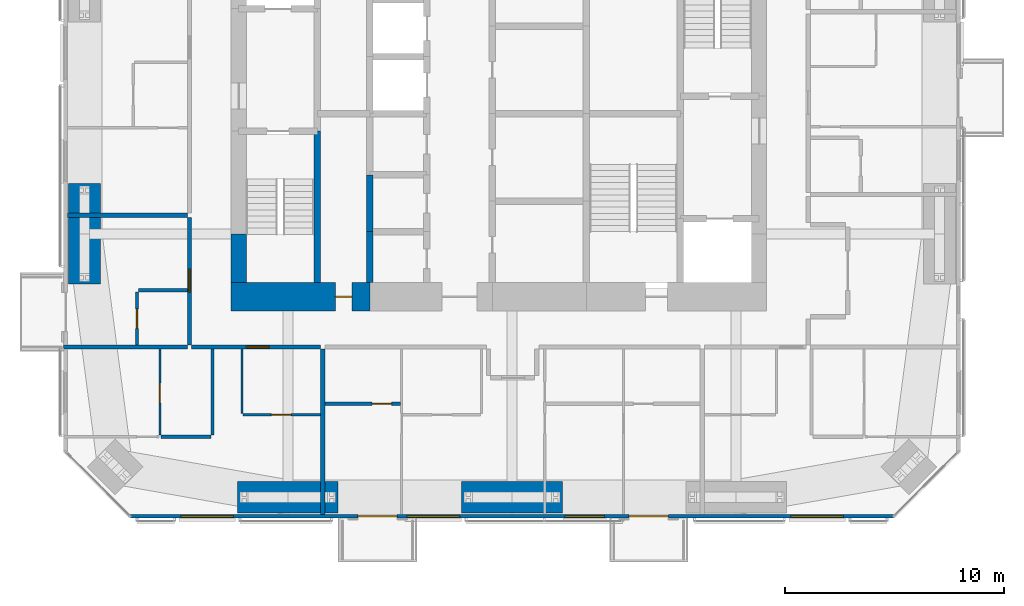
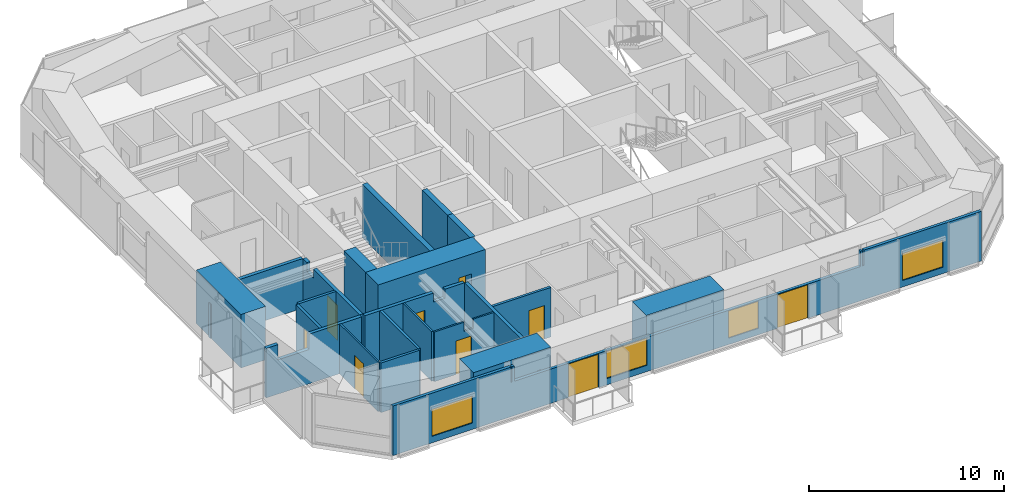
# One storey, part 15 of 22: 22 walls, 9 doors, 4 windows, 13 openings.
"""IFC4 building model written with IfcOpenShell, lengths in metres."""

from ifc_helpers import new_model, si_unit, direction, frame, frame_2d, origin, place, context, subcontext, project, spatial, polyline, rectangle, outline, extrude, material, layer, layer_set, constituent, constituent_set, type_object, element, fill, save


model = new_model("IFC4")

# Units and contexts
model_context = context("Model", 3, precision=1e-05, world=origin(), true_north=direction((0.0, 1.0)))
body_context = subcontext(model_context, "Body", "Model", "MODEL_VIEW")
ifc_project = project(units=[si_unit("LENGTHUNIT", "METRE"), si_unit("AREAUNIT", "SQUARE_METRE"), si_unit("VOLUMEUNIT", "CUBIC_METRE"), si_unit("PLANEANGLEUNIT", "RADIAN"), si_unit("MASSUNIT", "GRAM", prefix="KILO")], contexts=[model_context])

# Site, building, storey
site_placement = place(None, origin())
site = spatial("IfcSite", under=ifc_project, at=site_placement, CompositionType="ELEMENT")
building_placement = place(site_placement, origin())
building = spatial("IfcBuilding", under=site, at=building_placement, Name="Jalousie Tower", CompositionType="ELEMENT")
storey_placement = place(building_placement, frame((0.0, 0.0, 174.449951171875)))
storey = spatial("IfcBuildingStorey", under=building, at=storey_placement, Name="L47", CompositionType="ELEMENT", Elevation=174.449951171875)

# Walls
ifc_material_1 = material(Name="Concrete block ASTM C90", Category="concrete")
ifc_constituent_1 = constituent(ifc_material_1, Name="Body")
ifc_material_2 = material(Name="Render")
ifc_constituent_2 = constituent(ifc_material_2, Name="Finish")
ifc_constituent_set_1 = constituent_set(constituents=[ifc_constituent_1, ifc_constituent_2])
wall_type_1 = type_object("IfcWallType", Name="BATHROOM WALL 150", PredefinedType="PLUMBINGWALL", material=ifc_constituent_set_1)
wall_1_placement = place(storey_placement, frame((18.72509765625, 3.72119140625, 0.0), z_axis=(0.0, 0.0, 1.0), x_axis=(-1.0, 0.0, 0.0)))
element("IfcWall", 1, at=wall_1_placement, inside=storey, type_object=wall_type_1, Name="Bathroom Wall 150 L47", PredefinedType="PLUMBINGWALL", context=body_context, shape_type="SweptSolid", body=[
    extrude(rectangle(XDim=2.275146484375, YDim=0.14990234375, at=frame_2d((1.1376953125, 0.0))), origin(), (0.0, 0.0, 1.0), 3.110107421875),
])
wall_2_placement = place(storey_placement, frame((18.800048828125, 3.79638671875, 0.0), z_axis=(0.0, 0.0, 1.0), x_axis=(0.0, 1.0, 0.0)))
element("IfcWall", 2, at=wall_2_placement, inside=storey, type_object=wall_type_1, Name="Bathroom Wall 150 L47", PredefinedType="PLUMBINGWALL", context=body_context, shape_type="SweptSolid", body=[
    extrude(rectangle(XDim=3.9287109375, YDim=0.14990234375, at=frame_2d((1.96435546875, 0.0))), origin(), (0.0, 0.0, 1.0), 3.110107421875),
])

# Wall, opening, door
wall_3_placement = place(storey_placement, frame((23.949951171875, 5.22509765625, 0.0), z_axis=(0.0, 0.0, 1.0), x_axis=(1.0, 0.0, 0.0)))
wall_3 = element("IfcWall", 3, at=wall_3_placement, inside=storey, type_object=wall_type_1, Name="Bathroom Wall 150 L47", PredefinedType="PLUMBINGWALL", context=body_context, shape_type="SweptSolid", body=[
    extrude(rectangle(XDim=3.449951171875, YDim=0.14990234375, at=frame_2d((1.72509765625, 0.0))), origin(), (0.0, 0.0, 1.0), 3.110107421875),
])
opening_1_placement = place(wall_3_placement, frame((2.14990234375, 0.0, 0.0)))
opening_1 = element("IfcOpeningElement", 4, at=opening_1_placement, cuts=wall_3, Name="Opening D3", PredefinedType="OPENING", context=body_context, shape_type="SweptSolid", body=[
    extrude(rectangle(XDim=0.89990234375, YDim=2.10009765625, at=frame_2d((0.449951171875, 1.050048828125))), frame((0.0, 0.0849609375, 0.0), z_axis=(0.0, -1.0, 0.0), x_axis=(1.0, 0.0, 0.0)), (0.0, 0.0, 1.0), 0.169921875),
])
ifc_material_3 = material(Name="Timber door", Category="wood")
door_type_1 = type_object("IfcDoorType", Name="BATHROOM DOOR 900", OperationType="SINGLE_SWING_LEFT", PredefinedType="DOOR", material=ifc_material_3)
door_1_placement = place(opening_1_placement, origin())
door_1 = element("IfcDoor", 5, at=door_1_placement, inside=storey, type_object=door_type_1, Name="Apartment 4702 bedroom 1 bathroom door", OperationType="SINGLE_SWING_RIGHT", OverallHeight=2.10009765625, OverallWidth=0.89990234375, PredefinedType="DOOR", context=body_context, shape_type="SweptSolid", body=[
    extrude(rectangle(XDim=0.89990234375, YDim=2.10009765625, at=frame_2d((0.449951171875, 1.050048828125))), frame((0.0, 0.02490234375, 0.0), z_axis=(0.0, -1.0, 0.0), x_axis=(1.0, 0.0, 0.0)), (0.0, 0.0, 1.0), 0.050048828125),
])
fill(opening_1, door_1)

wall_4_placement = place(storey_placement, frame((15.35009765625, 7.925048828125, 0.0), z_axis=(0.0, 0.0, 1.0), x_axis=(0.0, 1.0, 0.0)))
wall_4 = element("IfcWall", 6, at=wall_4_placement, inside=storey, type_object=wall_type_1, Name="Bathroom Wall 150 L47", PredefinedType="PLUMBINGWALL", context=body_context, shape_type="SweptSolid", body=[
    extrude(rectangle(XDim=2.425048828125, YDim=0.14990234375, at=frame_2d((1.21240234375, 0.0))), origin(), (0.0, 0.0, 1.0), 3.110107421875),
])
opening_2_placement = place(wall_4_placement, frame((0.75, 0.0, 0.0)))
opening_2 = element("IfcOpeningElement", 7, at=opening_2_placement, cuts=wall_4, Name="Opening D3", PredefinedType="OPENING", context=body_context, shape_type="SweptSolid", body=[
    extrude(rectangle(XDim=0.89990234375, YDim=2.10009765625, at=frame_2d((0.449951171875, 1.050048828125))), frame((0.0, 0.0849609375, 0.0), z_axis=(0.0, -1.0, 0.0), x_axis=(1.0, 0.0, 0.0)), (0.0, 0.0, 1.0), 0.169921875),
])
door_2_placement = place(opening_2_placement, frame((0.89990234375, 0.0, 0.0), z_axis=(0.0, 0.0, 1.0), x_axis=(-1.0, 0.0, 0.0)))
door_2 = element("IfcDoor", 8, at=door_2_placement, inside=storey, type_object=door_type_1, Name="Apartment 4705 bathroom door", OperationType="SINGLE_SWING_RIGHT", OverallHeight=2.10009765625, OverallWidth=0.89990234375, PredefinedType="DOOR", context=body_context, shape_type="SweptSolid", body=[
    extrude(rectangle(XDim=0.89990234375, YDim=2.10009765625, at=frame_2d((0.449951171875, 1.050048828125))), frame((0.0, 0.02490234375, 0.0), z_axis=(0.0, -1.0, 0.0), x_axis=(1.0, 0.0, 0.0)), (0.0, 0.0, 1.0), 0.050048828125),
])
fill(opening_2, door_2)

# Wall
wall_5_placement = place(storey_placement, frame((15.425048828125, 10.425048828125, 0.0), z_axis=(0.0, 0.0, 1.0), x_axis=(1.0, 0.0, 0.0)))
element("IfcWall", 9, at=wall_5_placement, inside=storey, type_object=wall_type_1, Name="Bathroom Wall 150 L47", PredefinedType="PLUMBINGWALL", context=body_context, shape_type="SweptSolid", body=[
    extrude(rectangle(XDim=2.224853515625, YDim=0.14990234375, at=frame_2d((1.1123046875, 0.0))), origin(), (0.0, 0.0, 1.0), 3.110107421875),
])

# Wall, opening, door
ifc_material_4 = material(Name="Concrete f'c 120 MPa", Category="concrete")
ifc_layer_1 = layer(ifc_material_4, 1.300048828125)
ifc_layer_set_1 = layer_set([ifc_layer_1], Name="Concrete f'c 120 MPa")
wall_type_2 = type_object("IfcWallType", Name="CORE WALL 1300", PredefinedType="SHEAR", material=ifc_layer_set_1)
wall_6_placement = place(storey_placement, frame((19.64990234375, 10.125, 0.0), z_axis=(0.0, 0.0, 1.0), x_axis=(1.0, 0.0, 0.0)))
wall_6 = element("IfcWall", 10, at=wall_6_placement, inside=storey, type_object=wall_type_2, Name="Core wall SA L47", PredefinedType="SHEAR", context=body_context, shape_type="SweptSolid", body=[
    extrude(rectangle(XDim=6.35009765625, YDim=1.300048828125, at=frame_2d((3.175048828125, 0.0))), origin(), (0.0, 0.0, 1.0), 3.35009765625),
])
opening_3_placement = place(wall_6_placement, frame((4.77490234375, 0.0, 0.0)))
opening_3 = element("IfcOpeningElement", 11, at=opening_3_placement, cuts=wall_6, Name="Opening D16", PredefinedType="OPENING", context=body_context, shape_type="SweptSolid", body=[
    extrude(rectangle(XDim=0.75, YDim=2.10009765625, at=frame_2d((0.375, 1.050048828125))), frame((0.0, 0.659912109375, 0.0), z_axis=(0.0, -1.0, 0.0), x_axis=(1.0, 0.0, 0.0)), (0.0, 0.0, 1.0), 1.320068359375),
])
ifc_material_5 = material(Name="Steel fire door", Category="steel")
door_type_2 = type_object("IfcDoorType", Name="RISER DOOR 750", OperationType="SINGLE_SWING_LEFT", PredefinedType="DOOR", material=ifc_material_5)
door_3_placement = place(opening_3_placement, origin())
door_3 = element("IfcDoor", 12, at=door_3_placement, inside=storey, type_object=door_type_2, Name="South riser door", OperationType="SINGLE_SWING_LEFT", OverallHeight=2.10009765625, OverallWidth=0.75, PredefinedType="DOOR", context=body_context, shape_type="SweptSolid", body=[
    extrude(rectangle(XDim=0.75, YDim=2.10009765625, at=frame_2d((0.375, 1.050048828125))), frame((0.0, 0.02490234375, 0.0), z_axis=(0.0, -1.0, 0.0), x_axis=(1.0, 0.0, 0.0)), (0.0, 0.0, 1.0), 0.050048828125),
])
fill(opening_3, door_3)

# Walls
ifc_material_6 = material(Name="Concrete f'c 120 MPa", Category="concrete")
ifc_layer_2 = layer(ifc_material_6, 0.300048828125)
ifc_layer_set_2 = layer_set([ifc_layer_2], Name="Concrete f'c 120 MPa")
wall_type_3 = type_object("IfcWallType", Name="CORE WALL 300", PredefinedType="SHEAR", material=ifc_layer_set_2)
wall_7_placement = place(storey_placement, frame((23.60009765625, 10.77490234375, 0.0), z_axis=(0.0, 0.0, 1.0), x_axis=(0.0, 1.0, 0.0)))
element("IfcWall", 13, at=wall_7_placement, inside=storey, type_object=wall_type_3, Name="Core wall X23.6A L47", PredefinedType="SHEAR", context=body_context, shape_type="SweptSolid", body=[
    extrude(rectangle(XDim=6.925048828125, YDim=0.300048828125, at=frame_2d((3.46240234375, 0.0))), origin(), (0.0, 0.0, 1.0), 3.35009765625),
])
wall_8_placement = place(storey_placement, frame((26.0, 10.77490234375, 0.0), z_axis=(0.0, 0.0, 1.0), x_axis=(0.0, 1.0, 0.0)))
element("IfcWall", 14, at=wall_8_placement, inside=storey, type_object=wall_type_3, Name="Core wall X26A L47", PredefinedType="SHEAR", context=body_context, shape_type="SweptSolid", body=[
    extrude(rectangle(XDim=2.3251953125, YDim=0.300048828125, at=frame_2d((1.16259765625, 0.0))), origin(), (0.0, 0.0, 1.0), 3.35009765625),
])
wall_9_placement = place(storey_placement, frame((26.0, 13.10009765625, 0.0), z_axis=(0.0, 0.0, 1.0), x_axis=(0.0, 1.0, 0.0)))
element("IfcWall", 15, at=wall_9_placement, inside=storey, type_object=wall_type_3, Name="Core wall X26B L47", PredefinedType="SHEAR", context=body_context, shape_type="SweptSolid", body=[
    extrude(rectangle(XDim=2.599853515625, YDim=0.300048828125, at=frame_2d((1.2998046875, 0.0))), origin(), (0.0, 0.0, 1.0), 3.35009765625),
])
ifc_material_7 = material(Name="Concrete f'c 120 MPa", Category="concrete")
ifc_layer_3 = layer(ifc_material_7, 0.699951171875)
ifc_layer_set_3 = layer_set([ifc_layer_3], Name="Concrete f'c 120 MPa")
wall_type_4 = type_object("IfcWallType", Name="CORE WALL 700", PredefinedType="SHEAR", material=ifc_layer_set_3)
wall_10_placement = place(storey_placement, frame((20.0, 13.0, 0.0), z_axis=(0.0, 0.0, 1.0), x_axis=(0.0, -1.0, 0.0)))
element("IfcWall", 16, at=wall_10_placement, inside=storey, type_object=wall_type_4, Name="Core wall WD L47", PredefinedType="SHEAR", context=body_context, shape_type="SweptSolid", body=[
    extrude(rectangle(XDim=2.22509765625, YDim=0.699951171875, at=frame_2d((1.112548828125, 0.0))), origin(), (0.0, 0.0, 1.0), 3.35009765625),
])

# Wall, opening, door
ifc_material_8 = material(Name="Concrete block ASTM C90", Category="concrete")
ifc_constituent_3 = constituent(ifc_material_8, Name="Body")
ifc_material_9 = material(Name="Render")
ifc_constituent_4 = constituent(ifc_material_9, Name="Finish")
ifc_constituent_set_2 = constituent_set(constituents=[ifc_constituent_3, ifc_constituent_4])
wall_type_5 = type_object("IfcWallType", Name="CORRIDOR WALL 200", PredefinedType="PARTITIONING", material=ifc_constituent_set_2)
wall_11_placement = place(storey_placement, frame((17.85009765625, 7.824951171875, 0.0), z_axis=(0.0, 0.0, 1.0), x_axis=(1.0, 0.0, 0.0)))
wall_11 = element("IfcWall", 17, at=wall_11_placement, inside=storey, type_object=wall_type_5, Name="Corridor Wall 200 L47", PredefinedType="PARTITIONING", context=body_context, shape_type="SweptSolid", body=[
    extrude(outline(polyline([(0.0, 0.0), (5.89990234375, 0.0), (5.89990234375, 3.110107421875), (4.7373046875, 3.110107421875), (4.7373046875, 2.541015625), (4.0625, 2.541015625), (4.0625, 3.110107421875), (0.0, 3.110107421875), (0.0, 0.0)])), frame((0.0, 0.10009765625, 0.0), z_axis=(0.0, -1.0, 0.0), x_axis=(1.0, 0.0, 0.0)), (0.0, 0.0, 1.0), 0.199951171875),
])
opening_4_placement = place(wall_11_placement, frame((2.5, 0.0, 0.0)))
opening_4 = element("IfcOpeningElement", 18, at=opening_4_placement, cuts=wall_11, Name="Opening D1", PredefinedType="OPENING", context=body_context, shape_type="SweptSolid", body=[
    extrude(rectangle(XDim=1.050048828125, YDim=2.199951171875, at=frame_2d((0.52490234375, 1.10009765625))), frame((0.0, 0.10986328125, 0.0), z_axis=(0.0, -1.0, 0.0), x_axis=(1.0, 0.0, 0.0)), (0.0, 0.0, 1.0), 0.219970703125),
])
ifc_material_10 = material(Name="Timber fire door", Category="wood")
door_type_3 = type_object("IfcDoorType", Name="APARTMENT ENTRANCE DOOR 1050", OperationType="SINGLE_SWING_LEFT", PredefinedType="DOOR", material=ifc_material_10)
door_4_placement = place(opening_4_placement, frame((1.050048828125, 0.0, 0.0), z_axis=(0.0, 0.0, 1.0), x_axis=(-1.0, 0.0, 0.0)))
door_4 = element("IfcDoor", 19, at=door_4_placement, inside=storey, type_object=door_type_3, Name="Apartment 4701 entrance", OperationType="SINGLE_SWING_RIGHT", OverallHeight=2.199951171875, OverallWidth=1.050048828125, PredefinedType="DOOR", context=body_context, shape_type="SweptSolid", body=[
    extrude(rectangle(XDim=1.050048828125, YDim=2.199951171875, at=frame_2d((0.52490234375, 1.10009765625))), frame((0.0, 0.02490234375, 0.0), z_axis=(0.0, -1.0, 0.0), x_axis=(1.0, 0.0, 0.0)), (0.0, 0.0, 1.0), 0.050048828125),
])
fill(opening_4, door_4)

wall_12_placement = place(storey_placement, frame((17.75, 7.925048828125, 0.0), z_axis=(0.0, 0.0, 1.0), x_axis=(0.0, 1.0, 0.0)))
wall_12 = element("IfcWall", 20, at=wall_12_placement, inside=storey, type_object=wall_type_5, Name="Corridor Wall 200 L47", PredefinedType="PARTITIONING", context=body_context, shape_type="SweptSolid", body=[
    extrude(outline(polyline([(0.0, 0.0), (5.824951171875, 0.0), (5.824951171875, 3.110107421875), (5.412353515625, 3.110107421875), (5.412353515625, 2.541015625), (4.73779296875, 2.541015625), (4.73779296875, 3.110107421875), (0.0, 3.110107421875), (0.0, 0.0)])), frame((0.0, 0.10009765625, 0.0), z_axis=(0.0, -1.0, 0.0), x_axis=(1.0, 0.0, 0.0)), (0.0, 0.0, 1.0), 0.199951171875),
])
opening_5_placement = place(wall_12_placement, frame((2.41259765625, 0.0, 0.0)))
opening_5 = element("IfcOpeningElement", 21, at=opening_5_placement, cuts=wall_12, Name="Opening D1", PredefinedType="OPENING", context=body_context, shape_type="SweptSolid", body=[
    extrude(rectangle(XDim=1.050048828125, YDim=2.199951171875, at=frame_2d((0.52490234375, 1.10009765625))), frame((0.0, 0.10986328125, 0.0), z_axis=(0.0, -1.0, 0.0), x_axis=(1.0, 0.0, 0.0)), (0.0, 0.0, 1.0), 0.219970703125),
])
door_5_placement = place(opening_5_placement, origin())
door_5 = element("IfcDoor", 22, at=door_5_placement, inside=storey, type_object=door_type_3, Name="Apartment 4705 entrance", OperationType="SINGLE_SWING_RIGHT", OverallHeight=2.199951171875, OverallWidth=1.050048828125, PredefinedType="DOOR", context=body_context, shape_type="SweptSolid", body=[
    extrude(rectangle(XDim=1.050048828125, YDim=2.199951171875, at=frame_2d((0.52490234375, 1.10009765625))), frame((0.0, 0.02490234375, 0.0), z_axis=(0.0, -1.0, 0.0), x_axis=(1.0, 0.0, 0.0)), (0.0, 0.0, 1.0), 0.050048828125),
])
fill(opening_5, door_5)

# Wall, openings, doors, windows
ifc_material_11 = material(Name="Concrete f'c 40 MPa", Category="concrete")
ifc_constituent_5 = constituent(ifc_material_11, Name="Body")
ifc_material_12 = material(Name="Render, pastel lemon")
ifc_constituent_6 = constituent(ifc_material_12, Name="Finish")
ifc_constituent_set_3 = constituent_set(constituents=[ifc_constituent_5, ifc_constituent_6])
wall_type_6 = type_object("IfcWallType", Name="EXTERNAL WALL 175 LEMON RENDER", PredefinedType="SOLIDWALL", material=ifc_constituent_set_3)
wall_13_placement = place(storey_placement, frame((15.05126953125, 0.08740234375, 0.0), z_axis=(0.0, 0.0, 1.0), x_axis=(1.0, 0.0, 0.0)))
wall_13 = element("IfcWall", 23, at=wall_13_placement, inside=storey, type_object=wall_type_6, Name="External Wall 175 Lemon Render L47", PredefinedType="SOLIDWALL", context=body_context, shape_type="SweptSolid", body=[
    extrude(outline(polyline([(0.0, 0.0), (34.8974609375, 0.0), (34.8974609375, 3.110107421875), (27.91015625, 3.110107421875), (27.91015625, 2.150146484375), (27.8359375, 2.150146484375), (27.8359375, 3.110107421875), (27.69873046875, 3.110107421875), (27.69873046875, 2.150146484375), (7.19873046875, 2.150146484375), (7.19873046875, 3.110107421875), (7.0615234375, 3.110107421875), (7.0615234375, 2.150146484375), (6.9873046875, 2.150146484375), (6.9873046875, 3.110107421875), (0.0, 3.110107421875), (0.0, 0.0)])), frame((0.0, 0.08740234375, 0.0), z_axis=(0.0, -1.0, 0.0), x_axis=(1.0, 0.0, 0.0)), (0.0, 0.0, 1.0), 0.175048828125),
])
opening_6_placement = place(wall_13_placement, frame((2.3095703125, 0.0, 0.39990234375)))
opening_6 = element("IfcOpeningElement", 24, at=opening_6_placement, cuts=wall_13, Name="Opening W-LIV170", PredefinedType="OPENING", context=body_context, shape_type="SweptSolid", body=[
    extrude(rectangle(XDim=2.39990234375, YDim=1.699951171875, at=frame_2d((1.199951171875, 0.85009765625))), frame((0.0, 0.097412109375, 0.0), z_axis=(0.0, -1.0, 0.0), x_axis=(1.0, 0.0, 0.0)), (0.0, 0.0, 1.0), 0.195068359375),
])
opening_7_placement = place(wall_13_placement, frame((10.398681640625, 0.0, 0.0)))
opening_7 = element("IfcOpeningElement", 25, at=opening_7_placement, cuts=wall_13, Name="Opening D-BAL21", PredefinedType="OPENING", context=body_context, shape_type="SweptSolid", body=[
    extrude(rectangle(XDim=1.800048828125, YDim=2.10009765625, at=frame_2d((0.89990234375, 1.050048828125))), frame((0.0, 0.097412109375, 0.0), z_axis=(0.0, -1.0, 0.0), x_axis=(1.0, 0.0, 0.0)), (0.0, 0.0, 1.0), 0.195068359375),
])
opening_8_placement = place(wall_13_placement, frame((12.648681640625, 0.0, 0.39990234375)))
opening_8 = element("IfcOpeningElement", 26, at=opening_8_placement, cuts=wall_13, Name="Opening W-LIV170", PredefinedType="OPENING", context=body_context, shape_type="SweptSolid", body=[
    extrude(rectangle(XDim=2.39990234375, YDim=1.699951171875, at=frame_2d((1.199951171875, 0.85009765625))), frame((0.0, 0.097412109375, 0.0), z_axis=(0.0, -1.0, 0.0), x_axis=(1.0, 0.0, 0.0)), (0.0, 0.0, 1.0), 0.195068359375),
])
opening_9_placement = place(wall_13_placement, frame((19.873779296875, 0.0, 0.39990234375)))
opening_9 = element("IfcOpeningElement", 27, at=opening_9_placement, cuts=wall_13, Name="Opening W-BED170", PredefinedType="OPENING", context=body_context, shape_type="SweptSolid", body=[
    extrude(rectangle(XDim=1.800048828125, YDim=1.699951171875, at=frame_2d((0.89990234375, 0.85009765625))), frame((0.0, 0.097412109375, 0.0), z_axis=(0.0, -1.0, 0.0), x_axis=(1.0, 0.0, 0.0)), (0.0, 0.0, 1.0), 0.195068359375),
])
opening_10_placement = place(wall_13_placement, frame((22.798583984375, 0.0, 0.0)))
opening_10 = element("IfcOpeningElement", 28, at=opening_10_placement, cuts=wall_13, Name="Opening D-BAL21", PredefinedType="OPENING", context=body_context, shape_type="SweptSolid", body=[
    extrude(rectangle(XDim=1.800048828125, YDim=2.10009765625, at=frame_2d((0.89990234375, 1.050048828125))), frame((0.0, 0.097412109375, 0.0), z_axis=(0.0, -1.0, 0.0), x_axis=(1.0, 0.0, 0.0)), (0.0, 0.0, 1.0), 0.195068359375),
])
opening_11_placement = place(wall_13_placement, frame((30.205322265625, 0.0, 0.39990234375)))
opening_11 = element("IfcOpeningElement", 29, at=opening_11_placement, cuts=wall_13, Name="Opening W-LIV170", PredefinedType="OPENING", context=body_context, shape_type="SweptSolid", body=[
    extrude(rectangle(XDim=2.39990234375, YDim=1.699951171875, at=frame_2d((1.199951171875, 0.85009765625))), frame((0.0, 0.097412109375, 0.0), z_axis=(0.0, -1.0, 0.0), x_axis=(1.0, 0.0, 0.0)), (0.0, 0.0, 1.0), 0.195068359375),
])
ifc_material_13 = material(Name="Aluminium frame, impact-rated glazing", Category="aluminium")
door_type_4 = type_object("IfcDoorType", Name="BALCONY DOOR 1800x2100", OperationType="SLIDING_TO_LEFT", PredefinedType="DOOR", material=ifc_material_13)
door_6_placement = place(opening_7_placement, origin())
door_6 = element("IfcDoor", 30, at=door_6_placement, inside=storey, type_object=door_type_4, Name="Apartment 4702 bedroom 1 balcony door", OperationType="SLIDING_TO_LEFT", OverallHeight=2.10009765625, OverallWidth=1.800048828125, PredefinedType="DOOR", context=body_context, shape_type="SweptSolid", body=[
    extrude(rectangle(XDim=1.800048828125, YDim=2.10009765625, at=frame_2d((0.89990234375, 1.050048828125))), frame((0.0, 0.02490234375, 0.0), z_axis=(0.0, -1.0, 0.0), x_axis=(1.0, 0.0, 0.0)), (0.0, 0.0, 1.0), 0.050048828125),
])
fill(opening_7, door_6)
door_7_placement = place(opening_10_placement, origin())
door_7 = element("IfcDoor", 31, at=door_7_placement, inside=storey, type_object=door_type_4, Name="Apartment 4702 bedroom 3 balcony door", OperationType="SLIDING_TO_LEFT", OverallHeight=2.10009765625, OverallWidth=1.800048828125, PredefinedType="DOOR", context=body_context, shape_type="SweptSolid", body=[
    extrude(rectangle(XDim=1.800048828125, YDim=2.10009765625, at=frame_2d((0.89990234375, 1.050048828125))), frame((0.0, 0.02490234375, 0.0), z_axis=(0.0, -1.0, 0.0), x_axis=(1.0, 0.0, 0.0)), (0.0, 0.0, 1.0), 0.050048828125),
])
fill(opening_10, door_7)
ifc_material_14 = material(Name="Aluminium frame, impact-rated glazing", Category="aluminium")
window_type_1 = type_object("IfcWindowType", Name="WINDOW BED 1800x1700", PartitioningType="SINGLE_PANEL", PredefinedType="WINDOW", material=ifc_material_14)
window_1_placement = place(opening_9_placement, origin())
window_1 = element("IfcWindow", 32, at=window_1_placement, inside=storey, type_object=window_type_1, Name="Apartment 4702 bedroom 2 window", OverallHeight=1.699951171875, OverallWidth=1.800048828125, PartitioningType="SINGLE_PANEL", PredefinedType="WINDOW", context=body_context, shape_type="SweptSolid", body=[
    extrude(rectangle(XDim=1.800048828125, YDim=1.699951171875, at=frame_2d((0.89990234375, 0.85009765625))), frame((0.0, 0.030029296875, 0.0), z_axis=(0.0, -1.0, 0.0), x_axis=(1.0, 0.0, 0.0)), (0.0, 0.0, 1.0), 0.06005859375),
])
fill(opening_9, window_1)
ifc_material_15 = material(Name="Aluminium frame, impact-rated glazing", Category="aluminium")
window_type_2 = type_object("IfcWindowType", Name="WINDOW LIV 2400x1700", PartitioningType="DOUBLE_PANEL_VERTICAL", PredefinedType="WINDOW", material=ifc_material_15)
window_2_placement = place(opening_6_placement, origin())
window_2 = element("IfcWindow", 33, at=window_2_placement, inside=storey, type_object=window_type_2, Name="Apartment 4701 living and dining room window", OverallHeight=1.699951171875, OverallWidth=2.39990234375, PartitioningType="SINGLE_PANEL", PredefinedType="WINDOW", context=body_context, shape_type="SweptSolid", body=[
    extrude(rectangle(XDim=2.39990234375, YDim=1.699951171875, at=frame_2d((1.199951171875, 0.85009765625))), frame((0.0, 0.030029296875, 0.0), z_axis=(0.0, -1.0, 0.0), x_axis=(1.0, 0.0, 0.0)), (0.0, 0.0, 1.0), 0.06005859375),
])
fill(opening_6, window_2)
window_3_placement = place(opening_8_placement, origin())
window_3 = element("IfcWindow", 34, at=window_3_placement, inside=storey, type_object=window_type_2, Name="Apartment 4702 living and dining room window", OverallHeight=1.699951171875, OverallWidth=2.39990234375, PartitioningType="SINGLE_PANEL", PredefinedType="WINDOW", context=body_context, shape_type="SweptSolid", body=[
    extrude(rectangle(XDim=2.39990234375, YDim=1.699951171875, at=frame_2d((1.199951171875, 0.85009765625))), frame((0.0, 0.030029296875, 0.0), z_axis=(0.0, -1.0, 0.0), x_axis=(1.0, 0.0, 0.0)), (0.0, 0.0, 1.0), 0.06005859375),
])
fill(opening_8, window_3)
window_4_placement = place(opening_11_placement, origin())
window_4 = element("IfcWindow", 35, at=window_4_placement, inside=storey, type_object=window_type_2, Name="Apartment 4703 living and dining room window", OverallHeight=1.699951171875, OverallWidth=2.39990234375, PartitioningType="SINGLE_PANEL", PredefinedType="WINDOW", context=body_context, shape_type="SweptSolid", body=[
    extrude(rectangle(XDim=2.39990234375, YDim=1.699951171875, at=frame_2d((1.199951171875, 0.85009765625))), frame((0.0, 0.030029296875, 0.0), z_axis=(0.0, -1.0, 0.0), x_axis=(1.0, 0.0, 0.0)), (0.0, 0.0, 1.0), 0.06005859375),
])
fill(opening_11, window_4)

# Wall, opening, door
ifc_material_16 = material(Name="Gypsum board", Category="gypsum")
ifc_constituent_7 = constituent(ifc_material_16, Name="Body")
ifc_material_17 = material(Name="Light-gauge steel studs ASTM A653 SS Grade 33", Category="steel")
ifc_constituent_8 = constituent(ifc_material_17, Name="Framing")
ifc_constituent_set_4 = constituent_set(constituents=[ifc_constituent_7, ifc_constituent_8])
wall_type_7 = type_object("IfcWallType", Name="PARTITION 100", PredefinedType="PARTITIONING", material=ifc_constituent_set_4)
wall_14_placement = place(storey_placement, frame((16.39990234375, 3.79638671875, 0.0), z_axis=(0.0, 0.0, 1.0), x_axis=(0.0, 1.0, 0.0)))
wall_14 = element("IfcWall", 36, at=wall_14_placement, inside=storey, type_object=wall_type_7, Name="Partition 100 L47", PredefinedType="PARTITIONING", context=body_context, shape_type="SweptSolid", body=[
    extrude(rectangle(XDim=3.9287109375, YDim=0.10009765625, at=frame_2d((1.96435546875, 0.0))), origin(), (0.0, 0.0, 1.0), 3.110107421875),
])
opening_12_placement = place(wall_14_placement, frame((1.476806640625, 0.0, 0.0)))
opening_12 = element("IfcOpeningElement", 37, at=opening_12_placement, cuts=wall_14, Name="Opening D3", PredefinedType="OPENING", context=body_context, shape_type="SweptSolid", body=[
    extrude(rectangle(XDim=0.89990234375, YDim=2.10009765625, at=frame_2d((0.449951171875, 1.050048828125))), frame((0.0, 0.06005859375, 0.0), z_axis=(0.0, -1.0, 0.0), x_axis=(1.0, 0.0, 0.0)), (0.0, 0.0, 1.0), 0.1201171875),
])
door_8_placement = place(opening_12_placement, frame((0.89990234375, 0.0, 0.0), z_axis=(0.0, 0.0, 1.0), x_axis=(-1.0, 0.0, 0.0)))
door_8 = element("IfcDoor", 38, at=door_8_placement, inside=storey, type_object=door_type_1, Name="Apartment 4701 bedroom 1 bathroom door", OperationType="SINGLE_SWING_RIGHT", OverallHeight=2.10009765625, OverallWidth=0.89990234375, PredefinedType="DOOR", context=body_context, shape_type="SweptSolid", body=[
    extrude(rectangle(XDim=0.89990234375, YDim=2.10009765625, at=frame_2d((0.449951171875, 1.050048828125))), frame((0.0, 0.02490234375, 0.0), z_axis=(0.0, -1.0, 0.0), x_axis=(1.0, 0.0, 0.0)), (0.0, 0.0, 1.0), 0.050048828125),
])
fill(opening_12, door_8)

wall_15_placement = place(storey_placement, frame((20.199951171875, 4.72509765625, 0.0), z_axis=(0.0, 0.0, 1.0), x_axis=(1.0, 0.0, 0.0)))
wall_15 = element("IfcWall", 39, at=wall_15_placement, inside=storey, type_object=wall_type_7, Name="Partition 100 L47", PredefinedType="PARTITIONING", context=body_context, shape_type="SweptSolid", body=[
    extrude(outline(polyline([(0.0, 0.0), (3.550048828125, 0.0), (3.550048828125, 3.110107421875), (2.33740234375, 3.110107421875), (2.33740234375, 2.541015625), (1.7626953125, 2.541015625), (1.7626953125, 3.110107421875), (0.0, 3.110107421875), (0.0, 0.0)])), frame((0.0, 0.050048828125, 0.0), z_axis=(0.0, -1.0, 0.0), x_axis=(1.0, 0.0, 0.0)), (0.0, 0.0, 1.0), 0.10009765625),
])
opening_13_placement = place(wall_15_placement, frame((1.300048828125, 0.0, 0.0)))
opening_13 = element("IfcOpeningElement", 40, at=opening_13_placement, cuts=wall_15, Name="Opening D7", PredefinedType="OPENING", context=body_context, shape_type="SweptSolid", body=[
    extrude(rectangle(XDim=0.89990234375, YDim=2.10009765625, at=frame_2d((0.449951171875, 1.050048828125))), frame((0.0, 0.06005859375, 0.0), z_axis=(0.0, -1.0, 0.0), x_axis=(1.0, 0.0, 0.0)), (0.0, 0.0, 1.0), 0.1201171875),
])
ifc_material_18 = material(Name="Timber door", Category="wood")
door_type_5 = type_object("IfcDoorType", Name="INTERNAL DOOR 900", OperationType="SINGLE_SWING_LEFT", PredefinedType="DOOR", material=ifc_material_18)
door_9_placement = place(opening_13_placement, frame((0.89990234375, 0.0, 0.0), z_axis=(0.0, 0.0, 1.0), x_axis=(-1.0, 0.0, 0.0)))
door_9 = element("IfcDoor", 41, at=door_9_placement, inside=storey, type_object=door_type_5, Name="Apartment 4701 kitchen door", OperationType="SINGLE_SWING_LEFT", OverallHeight=2.10009765625, OverallWidth=0.89990234375, PredefinedType="DOOR", context=body_context, shape_type="SweptSolid", body=[
    extrude(rectangle(XDim=0.89990234375, YDim=2.10009765625, at=frame_2d((0.449951171875, 1.050048828125))), frame((0.0, 0.02490234375, 0.0), z_axis=(0.0, -1.0, 0.0), x_axis=(1.0, 0.0, 0.0)), (0.0, 0.0, 1.0), 0.050048828125),
])
fill(opening_13, door_9)

# Walls
wall_16_placement = place(storey_placement, frame((20.14990234375, 4.77490234375, 0.0), z_axis=(0.0, 0.0, 1.0), x_axis=(0.0, 1.0, 0.0)))
element("IfcWall", 42, at=wall_16_placement, inside=storey, type_object=wall_type_7, Name="Partition 100 L47", PredefinedType="PARTITIONING", context=body_context, shape_type="SweptSolid", body=[
    extrude(rectangle(XDim=2.9501953125, YDim=0.10009765625, at=frame_2d((1.47509765625, 0.0))), origin(), (0.0, 0.0, 1.0), 3.110107421875),
])
ifc_material_19 = material(Name="Concrete block ASTM C90", Category="concrete")
ifc_constituent_9 = constituent(ifc_material_19, Name="Body")
ifc_material_20 = material(Name="Render")
ifc_constituent_10 = constituent(ifc_material_20, Name="Finish")
ifc_constituent_set_5 = constituent_set(constituents=[ifc_constituent_9, ifc_constituent_10])
wall_type_8 = type_object("IfcWallType", Name="PARTY WALL 200", PredefinedType="PARTITIONING", material=ifc_constituent_set_5)
wall_17_placement = place(storey_placement, frame((23.85009765625, 0.175048828125, 0.0), z_axis=(0.0, 0.0, 1.0), x_axis=(0.0, 1.0, 0.0)))
element("IfcWall", 43, at=wall_17_placement, inside=storey, type_object=wall_type_8, Name="Party Wall 200 L47", PredefinedType="PARTITIONING", context=body_context, shape_type="SweptSolid", body=[
    extrude(outline(polyline([(0.52880859375, 2.150146484375), (0.0, 2.150146484375), (0.0, 0.0), (0.52880859375, 0.0), (0.52880859375, 0.20654296875), (1.021240234375, 0.20654296875), (1.021240234375, 0.0), (7.550048828125, 0.0), (7.550048828125, 3.110107421875), (1.68505859375, 3.110107421875), (1.68505859375, 2.150146484375), (1.021240234375, 2.150146484375), (1.021240234375, 1.943603515625), (0.52880859375, 1.943603515625), (0.52880859375, 2.150146484375)])), frame((0.0, 0.10009765625, 0.0), z_axis=(0.0, -1.0, 0.0), x_axis=(1.0, 0.0, 0.0)), (0.0, 0.0, 1.0), 0.199951171875),
])
wall_18_placement = place(storey_placement, frame((12.0, 7.824951171875, 0.0), z_axis=(0.0, 0.0, 1.0), x_axis=(1.0, 0.0, 0.0)))
element("IfcWall", 44, at=wall_18_placement, inside=storey, type_object=wall_type_8, Name="Party Wall 200 L47", PredefinedType="PARTITIONING", context=body_context, shape_type="SweptSolid", body=[
    extrude(outline(polyline([(0.0, 0.0), (5.64990234375, 0.0), (5.64990234375, 3.110107421875), (2.54736328125, 3.110107421875), (2.54736328125, 2.150146484375), (0.711669921875, 2.150146484375), (0.711669921875, 3.110107421875), (0.0, 3.110107421875), (0.0, 0.0)])), frame((0.0, 0.10009765625, 0.0), z_axis=(0.0, -1.0, 0.0), x_axis=(1.0, 0.0, 0.0)), (0.0, 0.0, 1.0), 0.199951171875),
])
wall_19_placement = place(storey_placement, frame((12.175048828125, 13.85009765625, 0.0), z_axis=(0.0, 0.0, 1.0), x_axis=(1.0, 0.0, 0.0)))
element("IfcWall", 45, at=wall_19_placement, inside=storey, type_object=wall_type_8, Name="Party Wall 200 L47", PredefinedType="PARTITIONING", context=body_context, shape_type="SweptSolid", body=[
    extrude(outline(polyline([(0.52880859375, 2.150146484375), (0.0, 2.150146484375), (0.0, 0.0), (0.52880859375, 0.0), (0.52880859375, 0.834716796875), (1.021240234375, 0.834716796875), (1.021240234375, 0.0), (5.47509765625, 0.0), (5.47509765625, 3.110107421875), (1.68505859375, 3.110107421875), (1.68505859375, 2.150146484375), (1.021240234375, 2.150146484375), (1.021240234375, 1.3154296875), (0.52880859375, 1.3154296875), (0.52880859375, 2.150146484375)])), frame((0.0, 0.10009765625, 0.0), z_axis=(0.0, -1.0, 0.0), x_axis=(1.0, 0.0, 0.0)), (0.0, 0.0, 1.0), 0.199951171875),
])
ifc_material_21 = material(Name="Concrete f'c 120 MPa", Category="concrete")
ifc_layer_4 = layer(ifc_material_21, 1.449951171875)
ifc_layer_set_4 = layer_set([ifc_layer_4], Name="Concrete f'c 120 MPa")
wall_type_9 = type_object("IfcWallType", Name="RC WALL PIER 1450", PredefinedType="SHEAR", material=ifc_layer_set_4)
for number, where, z_axis, x_axis, name in (
    (46, (19.949951171875, 0.949951171875, 0.0), (0.0, 0.0, 1.0), (1.0, 0.0, 0.0), "Wall pier 02 L47"),
    (47, (30.199951171875, 0.949951171875, 0.0), (0.0, 0.0, 1.0), (1.0, 0.0, 0.0), "Wall pier 03 L47"),
    (48, (12.949951171875, 10.699951171875, 0.0), (0.0, 0.0, 1.0), (0.0, 1.0, 0.0), "Wall pier 14 L47"),
):
    element("IfcWall", number, at=place(storey_placement, frame(where, z_axis=z_axis, x_axis=x_axis)), inside=storey, type_object=wall_type_9, Name=name, PredefinedType="SHEAR", context=body_context, shape_type="SweptSolid", body=[
        extrude(rectangle(XDim=4.60009765625, YDim=1.449951171875, at=frame_2d((2.300048828125, 0.0))), origin(), (0.0, 0.0, 1.0), 3.35009765625),
    ])

save(model, "model.ifc")
